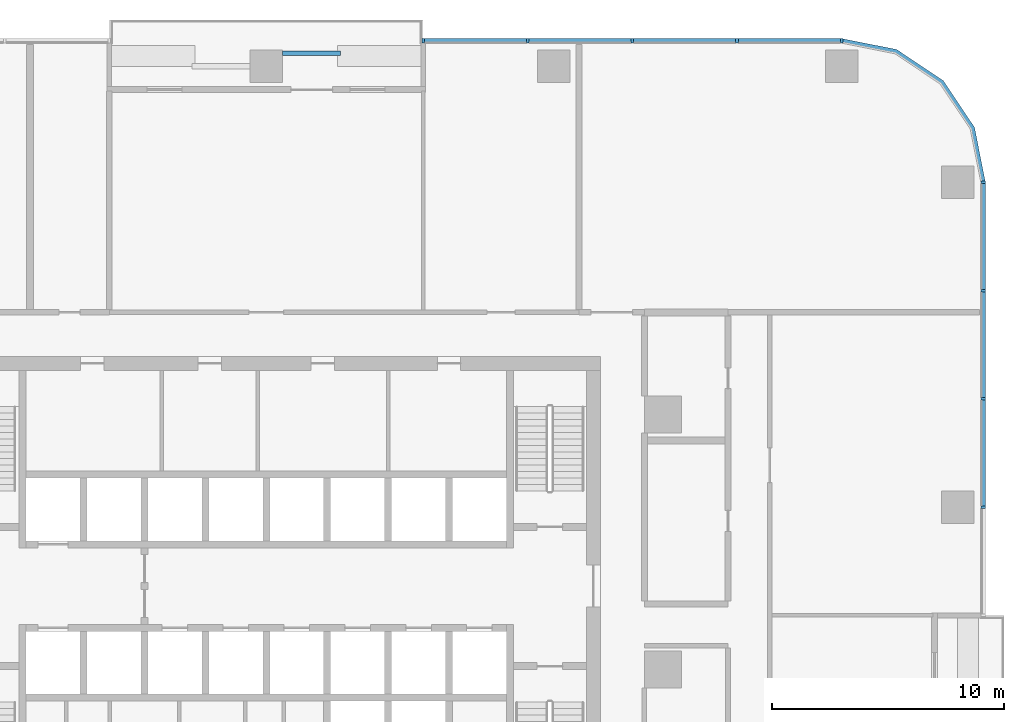
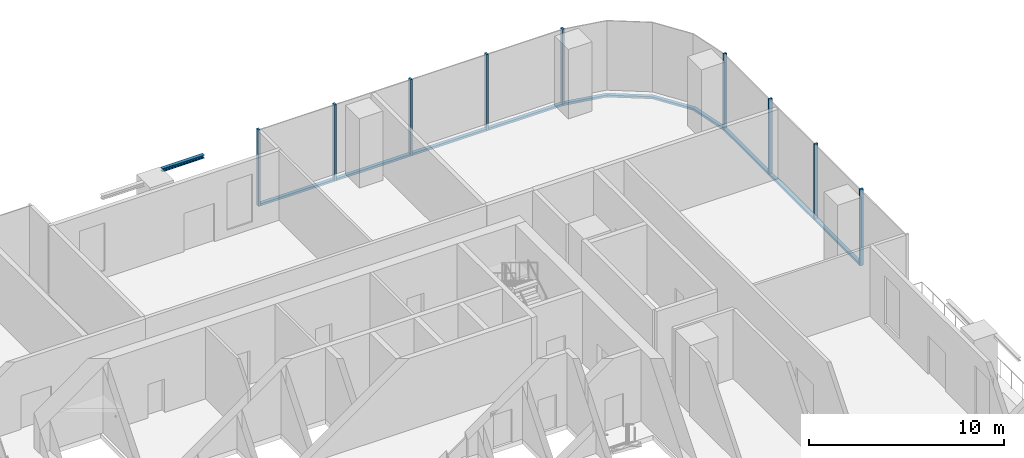
# One storey, part 5 of 14: 17 members, 1 beam, 3 elements without a shape of their own.
"""IFC4 building model written with IfcOpenShell, lengths in metres."""

from ifc_helpers import new_model, si_unit, direction, frame, origin, origin_2d, place, context, subcontext, project, spatial, polyline, rectangle, i_section, outline, extrude, material, material_profile, profile_set, type_object, element, aggregate, save


model = new_model("IFC4")

# Units and contexts
model_context = context("Model", 3, precision=1e-05, world=origin(), true_north=direction((0.0, 1.0)))
body_context = subcontext(model_context, "Body", "Model", "MODEL_VIEW")
ifc_project = project(units=[si_unit("LENGTHUNIT", "METRE"), si_unit("AREAUNIT", "SQUARE_METRE"), si_unit("VOLUMEUNIT", "CUBIC_METRE"), si_unit("PLANEANGLEUNIT", "RADIAN"), si_unit("MASSUNIT", "GRAM", prefix="KILO")], contexts=[model_context])

# Site, building, storey
site_placement = place(None, origin())
site = spatial("IfcSite", under=ifc_project, at=site_placement, CompositionType="ELEMENT")
building_placement = place(site_placement, origin())
building = spatial("IfcBuilding", under=site, at=building_placement, Name="Mopane Tessera Tower", CompositionType="ELEMENT")
storey_placement = place(building_placement, frame((0.0, 0.0, 40.60009765625)))
storey = spatial("IfcBuildingStorey", under=building, at=storey_placement, Name="L07", CompositionType="ELEMENT", Elevation=40.60009765625)

# Curtain wall, members
ifc_material_1 = material(Name="Aluminium frame", Category="aluminium")
curtain_wall_type = type_object("IfcCurtainWallType", Name="Lower tower unitised wall", PredefinedType="NOTDEFINED", material=ifc_material_1)
curtain_wall_1_placement = place(storey_placement, origin())
curtain_wall_1 = element("IfcCurtainWall", 1, at=curtain_wall_1_placement, inside=storey, type_object=curtain_wall_type, Name="e:cw:L07:E:5", PredefinedType="NOTDEFINED")
ifc_material_2 = material(Name="Aluminium frame", Category="aluminium")
ifc_material_profile_1 = material_profile(ifc_material_2, rectangle(XDim=0.110107421875, YDim=0.199951171875, at=origin_2d()))
ifc_profile_set_1 = profile_set([ifc_material_profile_1], Name="Aluminium frame")
member_type_1 = type_object("IfcMemberType", Name="Aluminium mullion 110 x 200", PredefinedType="MULLION", material=ifc_profile_set_1)
member_1_placement = place(storey_placement, frame((30.89990234375, 7.0, -0.4501953125), z_axis=(0.0, 0.0, 1.0), x_axis=(0.0, 1.0, 0.0)))
member_1 = element("IfcMember", 2, at=member_1_placement, type_object=member_type_1, Name="e:cw:L07:E:5:mu6", PredefinedType="MULLION", context=body_context, shape_type="SweptSolid", body=[
    extrude(rectangle(XDim=0.110107421875, YDim=0.199951171875, at=origin_2d()), origin(), (0.0, 0.0, 1.0), 4.800048828125),
])
member_2_placement = place(storey_placement, frame((30.89990234375, 11.666748046875, -0.4501953125), z_axis=(0.0, 0.0, 1.0), x_axis=(0.0, 1.0, 0.0)))
member_2 = element("IfcMember", 3, at=member_2_placement, type_object=member_type_1, Name="e:cw:L07:E:5:mu7", PredefinedType="MULLION", context=body_context, shape_type="SweptSolid", body=[
    extrude(rectangle(XDim=0.110107421875, YDim=0.199951171875, at=origin_2d()), origin(), (0.0, 0.0, 1.0), 4.800048828125),
])
member_3_placement = place(storey_placement, frame((30.89990234375, 16.333251953125, -0.4501953125), z_axis=(0.0, 0.0, 1.0), x_axis=(0.0, 1.0, 0.0)))
member_3 = element("IfcMember", 4, at=member_3_placement, type_object=member_type_1, Name="e:cw:L07:E:5:mu8", PredefinedType="MULLION", context=body_context, shape_type="SweptSolid", body=[
    extrude(rectangle(XDim=0.110107421875, YDim=0.199951171875, at=origin_2d()), origin(), (0.0, 0.0, 1.0), 4.800048828125),
])
member_4_placement = place(storey_placement, frame((30.89990234375, 21.0, -0.4501953125), z_axis=(0.0, 0.0, 1.0), x_axis=(0.0, 1.0, 0.0)))
member_4 = element("IfcMember", 5, at=member_4_placement, type_object=member_type_1, Name="e:cw:L07:E:5:mu9", PredefinedType="MULLION", context=body_context, shape_type="SweptSolid", body=[
    extrude(rectangle(XDim=0.110107421875, YDim=0.199951171875, at=origin_2d()), origin(), (0.0, 0.0, 1.0), 4.800048828125),
])

curtain_wall_2_placement = place(storey_placement, origin())
curtain_wall_2 = element("IfcCurtainWall", 6, at=curtain_wall_2_placement, inside=storey, type_object=curtain_wall_type, Name="e:cw:L07:N:0", PredefinedType="NOTDEFINED")
member_5_placement = place(storey_placement, frame((24.800048828125, 27.10009765625, -0.4501953125), z_axis=(0.0, 0.0, 1.0), x_axis=(-1.0, 0.0, 0.0)))
member_5 = element("IfcMember", 7, at=member_5_placement, type_object=member_type_1, Name="e:cw:L07:N:0:mu0", PredefinedType="MULLION", context=body_context, shape_type="SweptSolid", body=[
    extrude(rectangle(XDim=0.110107421875, YDim=0.199951171875, at=origin_2d()), origin(), (0.0, 0.0, 1.0), 4.800048828125),
])
member_6_placement = place(storey_placement, frame((20.291015625, 27.10009765625, -0.4501953125), z_axis=(0.0, 0.0, 1.0), x_axis=(-1.0, 0.0, 0.0)))
member_6 = element("IfcMember", 8, at=member_6_placement, type_object=member_type_1, Name="e:cw:L07:N:0:mu1", PredefinedType="MULLION", context=body_context, shape_type="SweptSolid", body=[
    extrude(rectangle(XDim=0.110107421875, YDim=0.199951171875, at=origin_2d()), origin(), (0.0, 0.0, 1.0), 4.800048828125),
])
member_7_placement = place(storey_placement, frame((15.78173828125, 27.10009765625, -0.4501953125), z_axis=(0.0, 0.0, 1.0), x_axis=(-1.0, 0.0, 0.0)))
member_7 = element("IfcMember", 9, at=member_7_placement, type_object=member_type_1, Name="e:cw:L07:N:0:mu2", PredefinedType="MULLION", context=body_context, shape_type="SweptSolid", body=[
    extrude(rectangle(XDim=0.110107421875, YDim=0.199951171875, at=origin_2d()), origin(), (0.0, 0.0, 1.0), 4.800048828125),
])
member_8_placement = place(storey_placement, frame((11.272705078125, 27.10009765625, -0.4501953125), z_axis=(0.0, 0.0, 1.0), x_axis=(-1.0, 0.0, 0.0)))
member_8 = element("IfcMember", 10, at=member_8_placement, type_object=member_type_1, Name="e:cw:L07:N:0:mu3", PredefinedType="MULLION", context=body_context, shape_type="SweptSolid", body=[
    extrude(rectangle(XDim=0.110107421875, YDim=0.199951171875, at=origin_2d()), origin(), (0.0, 0.0, 1.0), 4.800048828125),
])
member_9_placement = place(storey_placement, frame((6.763671875, 27.10009765625, -0.4501953125), z_axis=(0.0, 0.0, 1.0), x_axis=(-1.0, 0.0, 0.0)))
member_9 = element("IfcMember", 11, at=member_9_placement, type_object=member_type_1, Name="e:cw:L07:N:0:mu4", PredefinedType="MULLION", context=body_context, shape_type="SweptSolid", body=[
    extrude(rectangle(XDim=0.110107421875, YDim=0.199951171875, at=origin_2d()), origin(), (0.0, 0.0, 1.0), 4.800048828125),
])

# Member
ifc_material_3 = material(Name="Aluminium frame", Category="aluminium")
ifc_material_profile_2 = material_profile(ifc_material_3, rectangle(XDim=0.199951171875, YDim=0.139892578125, at=origin_2d()))
ifc_profile_set_2 = profile_set([ifc_material_profile_2], Name="Aluminium frame")
member_type_2 = type_object("IfcMemberType", Name="Aluminium transom 200 x 140", PredefinedType="USERDEFINED", material=ifc_profile_set_2)
member_10_placement = place(storey_placement, frame((30.89990234375, 7.054931640625, -0.380126953125), z_axis=(0.0, 1.0, 0.0), x_axis=(-1.0, 0.0, 0.0)))
member_10 = element("IfcMember", 12, at=member_10_placement, type_object=member_type_2, Name="e:cw:L07:E:5:tr6", ObjectType="TRANSOM", PredefinedType="USERDEFINED", context=body_context, shape_type="SweptSolid", body=[
    extrude(rectangle(XDim=0.199951171875, YDim=0.139892578125, at=origin_2d()), origin(), (0.0, 0.0, 1.0), 4.556640625),
])

member_11_placement = place(storey_placement, frame((30.89990234375, 11.7216796875, -0.380126953125), z_axis=(0.0, 1.0, 0.0), x_axis=(-1.0, 0.0, 0.0)))
member_11 = element("IfcMember", 13, at=member_11_placement, type_object=member_type_2, Name="e:cw:L07:E:5:tr7", ObjectType="TRANSOM", PredefinedType="USERDEFINED", context=body_context, shape_type="SweptSolid", body=[
    extrude(rectangle(XDim=0.199951171875, YDim=0.139892578125, at=origin_2d()), origin(), (0.0, 0.0, 1.0), 4.556640625),
])

member_12_placement = place(storey_placement, frame((30.89990234375, 16.388427734375, -0.380126953125), z_axis=(0.0, 1.0, 0.0), x_axis=(-1.0, 0.0, 0.0)))
member_12 = element("IfcMember", 14, at=member_12_placement, type_object=member_type_2, Name="e:cw:L07:E:5:tr8", ObjectType="TRANSOM", PredefinedType="USERDEFINED", context=body_context, shape_type="SweptSolid", body=[
    extrude(rectangle(XDim=0.199951171875, YDim=0.139892578125, at=origin_2d()), origin(), (0.0, 0.0, 1.0), 4.556640625),
])

aggregate(curtain_wall_1, [member_1, member_2, member_3, member_4, member_10, member_11, member_12])

# Curtain wall, member
curtain_wall_3_placement = place(storey_placement, origin())
curtain_wall_3 = element("IfcCurtainWall", 15, at=curtain_wall_3_placement, inside=storey, type_object=curtain_wall_type, Name="e:cw:L07:CE", PredefinedType="NOTDEFINED")
member_13_placement = place(storey_placement, frame((0.0, 0.0, -0.4501953125)))
member_13 = element("IfcMember", 16, at=member_13_placement, type_object=member_type_2, Name="e:cw:L07:CE:tr", ObjectType="TRANSOM", PredefinedType="USERDEFINED", context=body_context, shape_type="SweptSolid", body=[
    extrude(outline(polyline([(30.800048828125, 21.0), (30.34326171875, 23.296142578125), (29.042724609375, 25.24267578125), (27.09619140625, 26.543212890625), (24.800048828125, 27.0), (24.800048828125, 27.199951171875), (27.172607421875, 26.72802734375), (29.18408203125, 25.384033203125), (30.528076171875, 23.37255859375), (31.0, 21.0), (30.800048828125, 21.0)])), origin(), (0.0, 0.0, 1.0), 0.14013671875),
])
aggregate(curtain_wall_3, [member_13])

# Member
member_14_placement = place(storey_placement, frame((24.7451171875, 27.10009765625, -0.380126953125), z_axis=(-1.0, 0.0, 0.0), x_axis=(0.0, -1.0, 0.0)))
member_14 = element("IfcMember", 17, at=member_14_placement, type_object=member_type_2, Name="e:cw:L07:N:0:tr0", ObjectType="TRANSOM", PredefinedType="USERDEFINED", context=body_context, shape_type="SweptSolid", body=[
    extrude(rectangle(XDim=0.199951171875, YDim=0.139892578125, at=origin_2d()), origin(), (0.0, 0.0, 1.0), 4.399169921875),
])

member_15_placement = place(storey_placement, frame((20.23583984375, 27.10009765625, -0.380126953125), z_axis=(-1.0, 0.0, 0.0), x_axis=(0.0, -1.0, 0.0)))
member_15 = element("IfcMember", 18, at=member_15_placement, type_object=member_type_2, Name="e:cw:L07:N:0:tr1", ObjectType="TRANSOM", PredefinedType="USERDEFINED", context=body_context, shape_type="SweptSolid", body=[
    extrude(rectangle(XDim=0.199951171875, YDim=0.139892578125, at=origin_2d()), origin(), (0.0, 0.0, 1.0), 4.39892578125),
])

member_16_placement = place(storey_placement, frame((15.726806640625, 27.10009765625, -0.380126953125), z_axis=(-1.0, 0.0, 0.0), x_axis=(0.0, -1.0, 0.0)))
member_16 = element("IfcMember", 19, at=member_16_placement, type_object=member_type_2, Name="e:cw:L07:N:0:tr2", ObjectType="TRANSOM", PredefinedType="USERDEFINED", context=body_context, shape_type="SweptSolid", body=[
    extrude(rectangle(XDim=0.199951171875, YDim=0.139892578125, at=origin_2d()), origin(), (0.0, 0.0, 1.0), 4.399169921875),
])

member_17_placement = place(storey_placement, frame((11.2177734375, 27.10009765625, -0.380126953125), z_axis=(-1.0, 0.0, 0.0), x_axis=(0.0, -1.0, 0.0)))
member_17 = element("IfcMember", 20, at=member_17_placement, type_object=member_type_2, Name="e:cw:L07:N:0:tr3", ObjectType="TRANSOM", PredefinedType="USERDEFINED", context=body_context, shape_type="SweptSolid", body=[
    extrude(rectangle(XDim=0.199951171875, YDim=0.139892578125, at=origin_2d()), origin(), (0.0, 0.0, 1.0), 4.399169921875),
])

aggregate(curtain_wall_2, [member_5, member_6, member_7, member_8, member_9, member_14, member_15, member_16, member_17])

# Beam
ifc_material_4 = material(Name="Structural steel S460", Category="steel")
ifc_material_profile_3 = material_profile(ifc_material_4, i_section(OverallWidth=0.199951171875, OverallDepth=0.199951171875, WebThickness=0.009033203125, FlangeThickness=0.014892578125, FilletRadius=0.01806640625, at=origin_2d()))
ifc_profile_set_3 = profile_set([ifc_material_profile_3], Name="Structural steel S460")
beam_type = type_object("IfcBeamType", Name="Terrace trimmer beam HE 200 B", PredefinedType="BEAM", material=ifc_profile_set_3)
beam_placement = place(storey_placement, frame((0.702880859375, 26.56005859375, 4.25), z_axis=(1.0, 0.0, 0.0), x_axis=(0.0, 1.0, 0.0)))
element("IfcBeam", 21, at=beam_placement, inside=storey, type_object=beam_type, Name="Terrace trimmer beam N2 L08", PredefinedType="BEAM", context=body_context, shape_type="SweptSolid", body=[
    extrude(i_section(OverallWidth=0.199951171875, OverallDepth=0.199951171875, WebThickness=0.009033203125, FlangeThickness=0.014892578125, FilletRadius=0.01806640625, at=origin_2d()), origin(), (0.0, 0.0, 1.0), 2.5),
])

save(model, "model.ifc")
